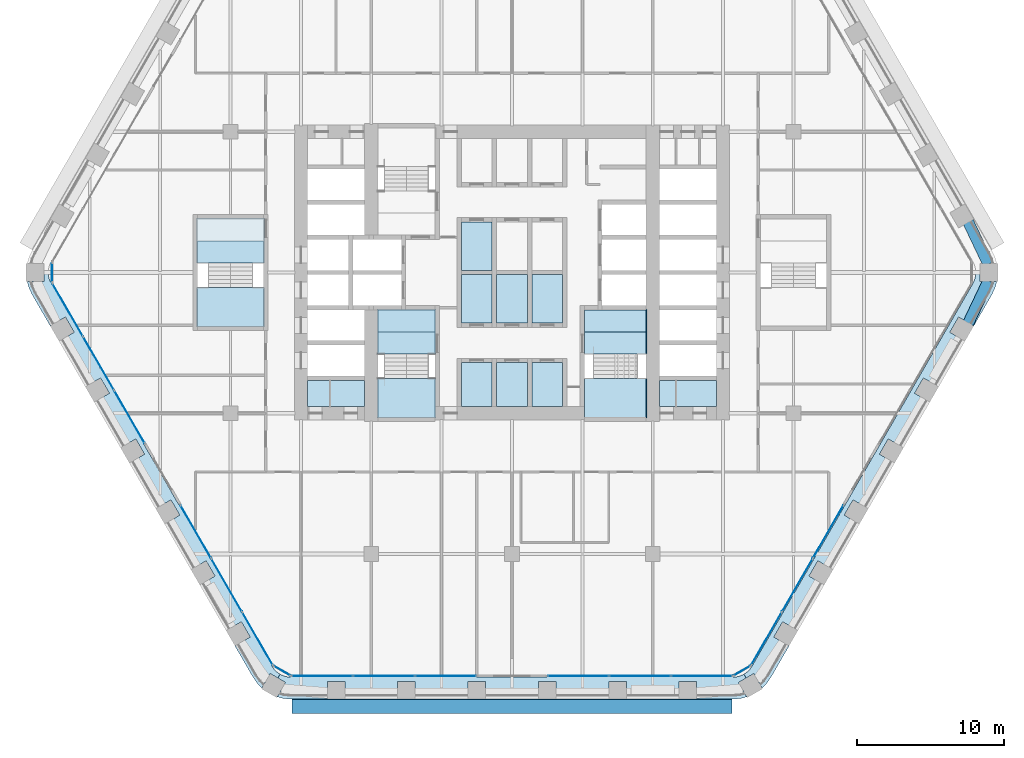
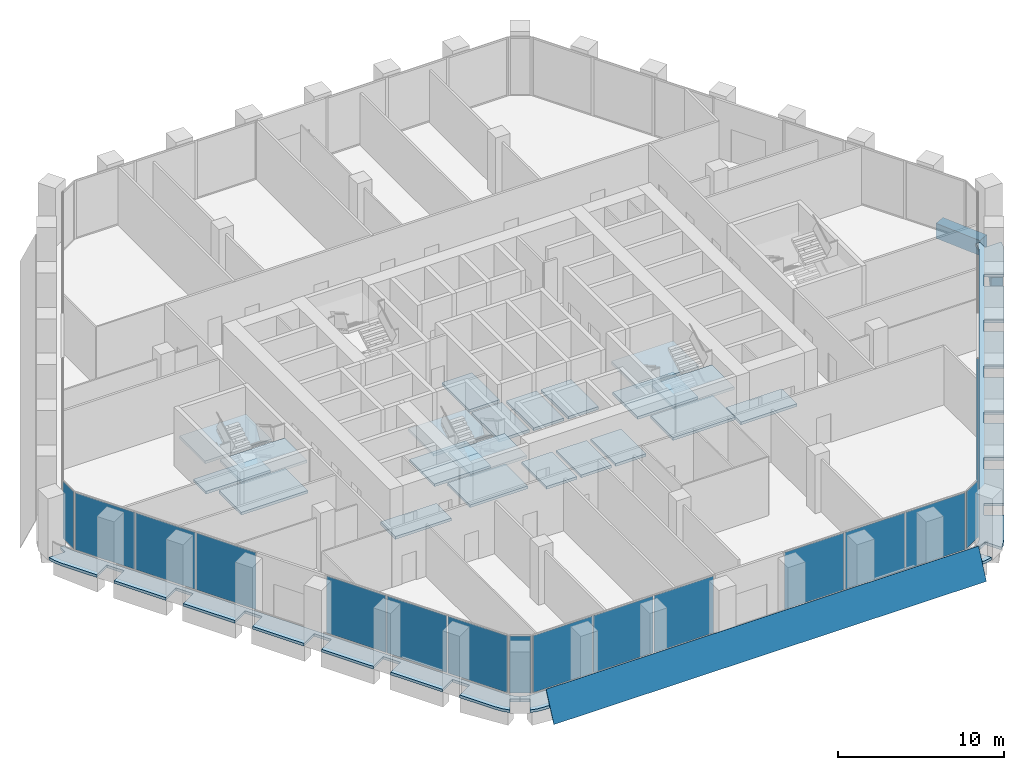
# One storey, part 10 of 23: 26 slabs, 19 plates, 2 beams, 11 elements without a shape of their own.
"""IFC4 building model written with IfcOpenShell, lengths in metres."""

from ifc_helpers import new_model, si_unit, direction, frame, origin, origin_2d, place, context, subcontext, project, spatial, polyline, rectangle, outline, extrude, material, layer, layer_set, material_profile, profile_set, type_object, element, aggregate, save


model = new_model("IFC4")

# Units and contexts
model_context = context("Model", 3, precision=1e-05, world=origin(), true_north=direction((0.0, 1.0)))
body_context = subcontext(model_context, "Body", "Model", "MODEL_VIEW")
ifc_project = project(units=[si_unit("LENGTHUNIT", "METRE"), si_unit("AREAUNIT", "SQUARE_METRE"), si_unit("VOLUMEUNIT", "CUBIC_METRE"), si_unit("PLANEANGLEUNIT", "RADIAN"), si_unit("MASSUNIT", "GRAM", prefix="KILO")], contexts=[model_context])

# Site, building, storey
site_placement = place(None, origin())
site = spatial("IfcSite", under=ifc_project, at=site_placement, CompositionType="ELEMENT")
building_placement = place(site_placement, origin())
building = spatial("IfcBuilding", under=site, at=building_placement, Name="Kolab Exchange Tower", CompositionType="ELEMENT")
storey_placement = place(building_placement, frame((0.0, 0.0, 100.39990234375)))
storey = spatial("IfcBuildingStorey", under=building, at=storey_placement, Name="L19", CompositionType="ELEMENT", Elevation=100.39990234375)

# Beams
ifc_material_1 = material(Name="Concrete C70/85", Category="concrete")
ifc_material_profile = material_profile(ifc_material_1, rectangle(XDim=0.75, YDim=1.10009765625, at=origin_2d()), Name="RC750X1100")
ifc_profile_set = profile_set([ifc_material_profile], Name="Concrete C70/85")
beam_type = type_object("IfcBeamType", Name="SPANDREL BEAM 750X1100 C70/85", PredefinedType="BEAM", material=ifc_profile_set)
for number, where, z_axis, x_axis, name in (
    (1, (31.116455078125, 3.4619140625, -0.75), (0.429041292193, -0.903284877319, 0.0), (0.903284877319, 0.429041292193, 0.0), "beam/L19/sp/F2-07"),
    (2, (32.492919921875, -0.56396484375, -0.75), (-0.429041292193, -0.903284877319, 0.0), (0.903284877319, -0.429041292193, 0.0), "beam/L19/sp/F3-01"),
):
    element("IfcBeam", number, at=place(storey_placement, frame(where, z_axis=z_axis, x_axis=x_axis)), inside=storey, type_object=beam_type, Name=name, PredefinedType="BEAM", context=body_context, shape_type="SweptSolid", body=[
        extrude(rectangle(XDim=0.75, YDim=1.10009765625, at=origin_2d()), origin(), (0.0, 0.0, 1.0), 3.208251953125),
    ])

# Slabs
ifc_material_2 = material(Name="Concrete C35/45", Category="concrete")
ifc_layer_1 = layer(ifc_material_2, 0.199951171875)
ifc_layer_set_1 = layer_set([ifc_layer_1], Name="Concrete C35/45")
slab_type_1 = type_object("IfcSlabType", Name="FLOOR SLAB 200", PredefinedType="FLOOR", material=ifc_layer_set_1)
slab_1_placement = place(storey_placement, frame((0.0, 0.0, -0.199951171875)))
element("IfcSlab", 3, at=slab_1_placement, inside=storey, type_object=slab_type_1, Name="slab/L19/floor/2", PredefinedType="FLOOR", context=body_context, shape_type="SweptSolid", body=[
    extrude(outline(polyline([(-10.050048828125, -9.14990234375), (-10.050048828125, -7.35009765625), (-13.949951171875, -7.35009765625), (-13.949951171875, -9.14990234375), (-10.050048828125, -9.14990234375)])), origin(), (0.0, 0.0, 1.0), 0.199951171875),
])
slab_2_placement = place(storey_placement, frame((0.0, 0.0, -0.199951171875)))
element("IfcSlab", 4, at=slab_2_placement, inside=storey, type_object=slab_type_1, Name="slab/L19/floor/4", PredefinedType="FLOOR", context=body_context, shape_type="SweptSolid", body=[
    extrude(outline(polyline([(10.050048828125, -9.14990234375), (13.949951171875, -9.14990234375), (13.949951171875, -7.35009765625), (10.050048828125, -7.35009765625), (10.050048828125, -9.14990234375)])), origin(), (0.0, 0.0, 1.0), 0.199951171875),
])
slab_3_placement = place(storey_placement, frame((0.0, 0.0, -0.199951171875)))
element("IfcSlab", 5, at=slab_3_placement, inside=storey, type_object=slab_type_1, Name="slab/L19/floor/6", PredefinedType="FLOOR", context=body_context, shape_type="SweptSolid", body=[
    extrude(outline(polyline([(-1.35009765625, -3.449951171875), (-1.35009765625, -0.14990234375), (-3.449951171875, -0.14990234375), (-3.449951171875, -3.449951171875), (-1.35009765625, -3.449951171875)])), origin(), (0.0, 0.0, 1.0), 0.199951171875),
])
slab_4_placement = place(storey_placement, frame((0.0, 0.0, -0.199951171875)))
element("IfcSlab", 6, at=slab_4_placement, inside=storey, type_object=slab_type_1, Name="slab/L19/floor/7", PredefinedType="FLOOR", context=body_context, shape_type="SweptSolid", body=[
    extrude(outline(polyline([(-1.35009765625, 0.14990234375), (-1.35009765625, 3.449951171875), (-3.449951171875, 3.449951171875), (-3.449951171875, 0.14990234375), (-1.35009765625, 0.14990234375)])), origin(), (0.0, 0.0, 1.0), 0.199951171875),
])
slab_5_placement = place(storey_placement, frame((0.0, 0.0, -0.199951171875)))
element("IfcSlab", 7, at=slab_5_placement, inside=storey, type_object=slab_type_1, Name="slab/L19/floor/8", PredefinedType="FLOOR", context=body_context, shape_type="SweptSolid", body=[
    extrude(outline(polyline([(-1.050048828125, -0.14990234375), (-1.050048828125, -3.449951171875), (1.050048828125, -3.449951171875), (1.050048828125, -0.14990234375), (-1.050048828125, -0.14990234375)])), origin(), (0.0, 0.0, 1.0), 0.199951171875),
])
slab_6_placement = place(storey_placement, frame((0.0, 0.0, -0.199951171875)))
element("IfcSlab", 8, at=slab_6_placement, inside=storey, type_object=slab_type_1, Name="slab/L19/floor/10", PredefinedType="FLOOR", context=body_context, shape_type="SweptSolid", body=[
    extrude(outline(polyline([(1.35009765625, -3.449951171875), (3.449951171875, -3.449951171875), (3.449951171875, -0.14990234375), (1.35009765625, -0.14990234375), (1.35009765625, -3.449951171875)])), origin(), (0.0, 0.0, 1.0), 0.199951171875),
])
slab_7_placement = place(storey_placement, frame((0.0, 0.0, -0.199951171875)))
element("IfcSlab", 9, at=slab_7_placement, inside=storey, type_object=slab_type_1, Name="slab/L19/floor/14", PredefinedType="FLOOR", context=body_context, shape_type="SweptSolid", body=[
    extrude(outline(polyline([(-1.35009765625, -6.14990234375), (-3.449951171875, -6.14990234375), (-3.449951171875, -9.14990234375), (-1.35009765625, -9.14990234375), (-1.35009765625, -6.14990234375)])), origin(), (0.0, 0.0, 1.0), 0.199951171875),
])
slab_8_placement = place(storey_placement, frame((0.0, 0.0, -0.199951171875)))
element("IfcSlab", 10, at=slab_8_placement, inside=storey, type_object=slab_type_1, Name="slab/L19/floor/16", PredefinedType="FLOOR", context=body_context, shape_type="SweptSolid", body=[
    extrude(outline(polyline([(1.050048828125, -6.14990234375), (-1.050048828125, -6.14990234375), (-1.050048828125, -9.14990234375), (1.050048828125, -9.14990234375), (1.050048828125, -6.14990234375)])), origin(), (0.0, 0.0, 1.0), 0.199951171875),
])
slab_9_placement = place(storey_placement, frame((0.0, 0.0, -0.199951171875)))
element("IfcSlab", 11, at=slab_9_placement, inside=storey, type_object=slab_type_1, Name="slab/L19/floor/18", PredefinedType="FLOOR", context=body_context, shape_type="SweptSolid", body=[
    extrude(outline(polyline([(1.35009765625, -6.14990234375), (1.35009765625, -9.14990234375), (3.449951171875, -9.14990234375), (3.449951171875, -6.14990234375), (1.35009765625, -6.14990234375)])), origin(), (0.0, 0.0, 1.0), 0.199951171875),
])
slab_10_placement = place(storey_placement, frame((0.0, 0.0, -0.199951171875)))
element("IfcSlab", 12, at=slab_10_placement, inside=storey, type_object=slab_type_1, Name="slab/L19/floor/20", PredefinedType="FLOOR", context=body_context, shape_type="SweptSolid", body=[
    extrude(outline(polyline([(4.949951171875, -4.050048828125), (9.14990234375, -4.050048828125), (9.14990234375, -2.550048828125), (6.14990234375, -2.550048828125), (5.85009765625, -2.550048828125), (4.949951171875, -2.550048828125), (4.949951171875, -4.050048828125)])), origin(), (0.0, 0.0, 1.0), 0.199951171875),
])
slab_11_placement = place(storey_placement, frame((0.0, 0.0, -0.199951171875)))
element("IfcSlab", 13, at=slab_11_placement, inside=storey, type_object=slab_type_1, Name="slab/L19/floor/21", PredefinedType="FLOOR", context=body_context, shape_type="SweptSolid", body=[
    extrude(outline(polyline([(-9.14990234375, -2.550048828125), (-9.14990234375, -4.050048828125), (-5.25, -4.050048828125), (-5.25, -2.550048828125), (-7.25, -2.550048828125), (-7.550048828125, -2.550048828125), (-9.14990234375, -2.550048828125)])), origin(), (0.0, 0.0, 1.0), 0.199951171875),
])
ifc_layer_2 = layer(ifc_material_2, 0.199951171875)
ifc_layer_set_2 = layer_set([ifc_layer_2], Name="Concrete C35/45")
slab_type_2 = type_object("IfcSlabType", Name="LOGGIA SLAB 200", PredefinedType="FLOOR", material=ifc_layer_set_2)
slab_12_placement = place(storey_placement, frame((0.0, 0.0, -0.199951171875)))
element("IfcSlab", 14, at=slab_12_placement, inside=storey, type_object=slab_type_2, Name="slab/L19/loggia/2-0", PredefinedType="FLOOR", context=body_context, shape_type="SweptSolid", body=[
    extrude(outline(polyline([(17.666015625, -27.598388671875), (18.89990234375, -25.461181640625), (17.86083984375, -24.861083984375), (18.460693359375, -23.822021484375), (19.5, -24.421875), (21.300048828125, -21.30419921875), (20.2607421875, -20.704345703125), (20.86083984375, -19.6650390625), (21.89990234375, -20.264892578125), (23.699951171875, -17.147216796875), (22.660888671875, -16.54736328125), (23.2607421875, -15.508056640625), (24.300048828125, -16.108154296875), (26.10009765625, -12.990478515625), (25.060791015625, -12.390380859375), (25.660888671875, -11.35107421875), (26.699951171875, -11.951171875), (28.5, -8.83349609375), (27.460693359375, -8.2333984375), (28.060791015625, -7.1943359375), (29.10009765625, -7.794189453125), (30.89990234375, -4.676513671875), (29.86083984375, -4.076416015625), (30.460693359375, -3.037353515625), (31.5, -3.63720703125), (32.73388671875, -1.5), (32.955078125, -1.026123046875), (33.069091796875, -0.60009765625), (31.935791015625, -0.60009765625), (31.935791015625, 0.0), (31.635986328125, 0.0), (31.613037109375, -0.260498046875), (31.54541015625, -0.512939453125), (31.434814453125, -0.75), (16.366943359375, -26.848388671875), (16.217041015625, -27.062744140625), (16.0322265625, -27.24755859375), (15.81787109375, -27.3974609375), (15.968017578125, -27.6572265625), (16.487548828125, -27.357177734375), (17.05419921875, -28.338623046875), (17.365966796875, -28.02685546875), (17.666015625, -27.598388671875)])), origin(), (0.0, 0.0, 1.0), 0.199951171875),
])
slab_13_placement = place(storey_placement, frame((0.0, 0.0, -0.199951171875)))
element("IfcSlab", 15, at=slab_13_placement, inside=storey, type_object=slab_type_2, Name="slab/L19/loggia/3-0", PredefinedType="FLOOR", context=body_context, shape_type="SweptSolid", body=[
    extrude(outline(polyline([(-15.81787109375, -27.3974609375), (-15.968017578125, -27.6572265625), (-15.4482421875, -27.957275390625), (-16.014892578125, -28.938720703125), (-15.5888671875, -29.052978515625), (-15.06787109375, -29.098388671875), (-12.60009765625, -29.098388671875), (-12.60009765625, -27.8984375), (-11.39990234375, -27.8984375), (-11.39990234375, -29.098388671875), (-7.800048828125, -29.098388671875), (-7.800048828125, -27.8984375), (-6.60009765625, -27.8984375), (-6.60009765625, -29.098388671875), (-3.0, -29.098388671875), (-3.0, -27.8984375), (-1.800048828125, -27.8984375), (-1.800048828125, -29.098388671875), (1.800048828125, -29.098388671875), (1.800048828125, -27.8984375), (3.0, -27.8984375), (3.0, -29.098388671875), (6.60009765625, -29.098388671875), (6.60009765625, -27.8984375), (7.800048828125, -27.8984375), (7.800048828125, -29.098388671875), (11.39990234375, -29.098388671875), (11.39990234375, -27.8984375), (12.60009765625, -27.8984375), (12.60009765625, -29.098388671875), (15.06787109375, -29.098388671875), (15.5888671875, -29.052978515625), (16.014892578125, -28.938720703125), (15.4482421875, -27.957275390625), (15.968017578125, -27.6572265625), (15.81787109375, -27.3974609375), (15.5810546875, -27.508056640625), (15.328369140625, -27.57568359375), (15.06787109375, -27.598388671875), (-15.06787109375, -27.598388671875), (-15.328369140625, -27.57568359375), (-15.5810546875, -27.508056640625), (-15.81787109375, -27.3974609375)])), origin(), (0.0, 0.0, 1.0), 0.199951171875),
])
slab_14_placement = place(storey_placement, frame((0.0, 0.0, -0.199951171875)))
element("IfcSlab", 16, at=slab_14_placement, inside=storey, type_object=slab_type_2, Name="slab/L19/loggia/4-0", PredefinedType="FLOOR", context=body_context, shape_type="SweptSolid", body=[
    extrude(outline(polyline([(-31.635986328125, 0.0), (-31.935791015625, 0.0), (-31.935791015625, -0.60009765625), (-33.069091796875, -0.60009765625), (-32.955078125, -1.026123046875), (-32.73388671875, -1.5), (-31.5, -3.63720703125), (-30.460693359375, -3.037353515625), (-29.86083984375, -4.076416015625), (-30.89990234375, -4.676513671875), (-29.10009765625, -7.794189453125), (-28.060791015625, -7.1943359375), (-27.460693359375, -8.2333984375), (-28.5, -8.83349609375), (-26.699951171875, -11.951171875), (-25.660888671875, -11.35107421875), (-25.060791015625, -12.390380859375), (-26.10009765625, -12.990478515625), (-24.300048828125, -16.108154296875), (-23.2607421875, -15.508056640625), (-22.660888671875, -16.54736328125), (-23.699951171875, -17.147216796875), (-21.89990234375, -20.264892578125), (-20.86083984375, -19.6650390625), (-20.2607421875, -20.704345703125), (-21.300048828125, -21.30419921875), (-19.5, -24.421875), (-18.460693359375, -23.822021484375), (-17.86083984375, -24.861083984375), (-18.89990234375, -25.461181640625), (-17.666015625, -27.598388671875), (-17.365966796875, -28.02685546875), (-17.05419921875, -28.338623046875), (-16.487548828125, -27.357177734375), (-15.968017578125, -27.6572265625), (-15.81787109375, -27.3974609375), (-16.0322265625, -27.24755859375), (-16.217041015625, -27.062744140625), (-16.366943359375, -26.848388671875), (-31.434814453125, -0.75), (-31.54541015625, -0.512939453125), (-31.613037109375, -0.260498046875), (-31.635986328125, 0.0)])), origin(), (0.0, 0.0, 1.0), 0.199951171875),
])

# Plate
ifc_material_3 = material(Name="Laminated glass, clear", Category="glass")
ifc_layer_3 = layer(ifc_material_3, 0.0400390625)
ifc_layer_set_3 = layer_set([ifc_layer_3], Name="Laminated glass, clear")
plate_type_1 = type_object("IfcPlateType", Name="OUTER SKIN LAMINATED GLASS SHEET 40", PredefinedType="SHEET", material=ifc_layer_set_3)
plate_1_placement = place(storey_placement, frame((15.01806640625, -30.078857421875, -0.73291015625), z_axis=(0.0, -0.906331045159, 0.422568380954), x_axis=(-1.0, 0.0, 0.0)))
element("IfcPlate", 17, at=plate_1_placement, inside=storey, type_object=plate_type_1, Name="Outer skin", PredefinedType="SHEET", context=body_context, shape_type="SweptSolid", body=[
    extrude(outline(polyline([(0.0, 0.0), (30.0361328125, 0.0), (30.0361328125, -2.2341751996320496), (0.0, -2.2341751996320496), (0.0, 0.0)])), origin(), (0.0, 0.0, -1.0), 0.0400390625),
])

# Stair, slabs
ifc_material_4 = material(Name="Concrete C50/60", Category="concrete")
stair_type_1 = type_object("IfcStairType", Name="STAIR ST3 RISER 160.7", PredefinedType="DOUBLE_RETURN_STAIR", material=ifc_material_4)
stair_1_placement = place(storey_placement, origin())
stair_1 = element("IfcStair", 18, at=stair_1_placement, inside=storey, type_object=stair_type_1, Name="Stair 3", PredefinedType="DOUBLE_RETURN_STAIR")
ifc_layer_4 = layer(ifc_material_4, 0.199951171875)
ifc_layer_set_4 = layer_set([ifc_layer_4], Name="Concrete C50/60")
slab_type_3 = type_object("IfcSlabType", Name="STAIR LANDING 200", PredefinedType="LANDING", material=ifc_layer_set_4)
slab_15_placement = place(storey_placement, frame((0.0, 0.0, -0.199951171875)))
slab_15 = element("IfcSlab", 19, at=slab_15_placement, type_object=slab_type_3, Name="ST3 landing 1", PredefinedType="LANDING", context=body_context, shape_type="SweptSolid", body=[
    extrude(outline(polyline([(-9.14990234375, -5.550048828125), (-5.25, -5.550048828125), (-5.25, -4.050048828125), (-9.14990234375, -4.050048828125), (-9.14990234375, -5.550048828125)])), origin(), (0.0, 0.0, 1.0), 0.199951171875),
])
slab_16_placement = place(storey_placement, frame((0.0, 0.0, 0.925048828125)))
slab_16 = element("IfcSlab", 20, at=slab_16_placement, type_object=slab_type_3, Name="ST3 landing 2", PredefinedType="LANDING", context=body_context, shape_type="SweptSolid", body=[
    extrude(outline(polyline([(-9.2099609375, -9.909912109375), (-5.18994140625, -9.909912109375), (-5.18994140625, -7.22998046875), (-9.2099609375, -7.22998046875), (-9.2099609375, -9.909912109375)])), origin(), (0.0, 0.0, 1.0), 0.199951171875),
])
slab_17_placement = place(storey_placement, frame((0.0, 0.0, 2.050048828125)))
slab_17 = element("IfcSlab", 21, at=slab_17_placement, type_object=slab_type_3, Name="ST3 landing 3", PredefinedType="LANDING", context=body_context, shape_type="SweptSolid", body=[
    extrude(outline(polyline([(-9.2099609375, -5.550048828125), (-5.18994140625, -5.550048828125), (-5.18994140625, -2.489990234375), (-9.2099609375, -2.489990234375), (-9.2099609375, -5.550048828125)])), origin(), (0.0, 0.0, 1.0), 0.199951171875),
])
slab_18_placement = place(storey_placement, frame((0.0, 0.0, 3.175048828125)))
slab_18 = element("IfcSlab", 22, at=slab_18_placement, type_object=slab_type_3, Name="ST3 landing 4", PredefinedType="LANDING", context=body_context, shape_type="SweptSolid", body=[
    extrude(outline(polyline([(-9.14990234375, -9.909912109375), (-5.25, -9.909912109375), (-5.25, -7.22998046875), (-9.14990234375, -7.22998046875), (-9.14990234375, -9.909912109375)])), origin(), (0.0, 0.0, 1.0), 0.199951171875),
])
aggregate(stair_1, [slab_15, slab_16, slab_17, slab_18])

stair_type_2 = type_object("IfcStairType", Name="STAIR ST2 RISER 160.7", PredefinedType="DOUBLE_RETURN_STAIR", material=ifc_material_4)
stair_2_placement = place(storey_placement, origin())
stair_2 = element("IfcStair", 23, at=stair_2_placement, inside=storey, type_object=stair_type_2, Name="Stair 2", PredefinedType="DOUBLE_RETURN_STAIR")
slab_19_placement = place(storey_placement, frame((0.0, 0.0, -0.199951171875)))
slab_19 = element("IfcSlab", 24, at=slab_19_placement, type_object=slab_type_3, Name="ST2 landing 1", PredefinedType="LANDING", context=body_context, shape_type="SweptSolid", body=[
    extrude(outline(polyline([(4.949951171875, -5.550048828125), (9.14990234375, -5.550048828125), (9.14990234375, -4.050048828125), (4.949951171875, -4.050048828125), (4.949951171875, -5.550048828125)])), origin(), (0.0, 0.0, 1.0), 0.199951171875),
])
slab_20_placement = place(storey_placement, frame((0.0, 0.0, 0.925048828125)))
slab_20 = element("IfcSlab", 25, at=slab_20_placement, type_object=slab_type_3, Name="ST2 landing 2", PredefinedType="LANDING", context=body_context, shape_type="SweptSolid", body=[
    extrude(outline(polyline([(4.889892578125, -9.909912109375), (9.2099609375, -9.909912109375), (9.2099609375, -7.22998046875), (4.889892578125, -7.22998046875), (4.889892578125, -9.909912109375)])), origin(), (0.0, 0.0, 1.0), 0.199951171875),
])
slab_21_placement = place(storey_placement, frame((0.0, 0.0, 2.050048828125)))
slab_21 = element("IfcSlab", 26, at=slab_21_placement, type_object=slab_type_3, Name="ST2 landing 3", PredefinedType="LANDING", context=body_context, shape_type="SweptSolid", body=[
    extrude(outline(polyline([(4.889892578125, -5.550048828125), (9.2099609375, -5.550048828125), (9.2099609375, -2.489990234375), (4.889892578125, -2.489990234375), (4.889892578125, -5.550048828125)])), origin(), (0.0, 0.0, 1.0), 0.199951171875),
])
slab_22_placement = place(storey_placement, frame((0.0, 0.0, 3.175048828125)))
slab_22 = element("IfcSlab", 27, at=slab_22_placement, type_object=slab_type_3, Name="ST2 landing 4", PredefinedType="LANDING", context=body_context, shape_type="SweptSolid", body=[
    extrude(outline(polyline([(4.949951171875, -9.909912109375), (9.14990234375, -9.909912109375), (9.14990234375, -7.22998046875), (4.949951171875, -7.22998046875), (4.949951171875, -9.909912109375)])), origin(), (0.0, 0.0, 1.0), 0.199951171875),
])
aggregate(stair_2, [slab_19, slab_20, slab_21, slab_22])

stair_type_3 = type_object("IfcStairType", Name="STAIR ST5 RISER 160.7", PredefinedType="DOUBLE_RETURN_STAIR", material=ifc_material_4)
stair_3_placement = place(storey_placement, origin())
stair_3 = element("IfcStair", 28, at=stair_3_placement, inside=storey, type_object=stair_type_3, Name="Stair 5", PredefinedType="DOUBLE_RETURN_STAIR")
slab_23_placement = place(storey_placement, frame((0.0, 0.0, -0.199951171875)))
slab_23 = element("IfcSlab", 29, at=slab_23_placement, type_object=slab_type_3, Name="ST5 landing 1", PredefinedType="LANDING", context=body_context, shape_type="SweptSolid", body=[
    extrude(outline(polyline([(-21.449951171875, 0.64990234375), (-16.949951171875, 0.64990234375), (-16.949951171875, 2.14990234375), (-21.449951171875, 2.14990234375), (-21.449951171875, 0.64990234375)])), origin(), (0.0, 0.0, 1.0), 0.199951171875),
])
slab_24_placement = place(storey_placement, frame((0.0, 0.0, 0.925048828125)))
slab_24 = element("IfcSlab", 30, at=slab_24_placement, type_object=slab_type_3, Name="ST5 landing 2", PredefinedType="LANDING", context=body_context, shape_type="SweptSolid", body=[
    extrude(outline(polyline([(-21.510009765625, -3.7099609375), (-16.889892578125, -3.7099609375), (-16.889892578125, -1.030029296875), (-21.510009765625, -1.030029296875), (-21.510009765625, -3.7099609375)])), origin(), (0.0, 0.0, 1.0), 0.199951171875),
])
slab_25_placement = place(storey_placement, frame((0.0, 0.0, 2.050048828125)))
slab_25 = element("IfcSlab", 31, at=slab_25_placement, type_object=slab_type_3, Name="ST5 landing 3", PredefinedType="LANDING", context=body_context, shape_type="SweptSolid", body=[
    extrude(outline(polyline([(-21.510009765625, 0.64990234375), (-16.889892578125, 0.64990234375), (-16.889892578125, 3.7099609375), (-21.510009765625, 3.7099609375), (-21.510009765625, 0.64990234375)])), origin(), (0.0, 0.0, 1.0), 0.199951171875),
])
slab_26_placement = place(storey_placement, frame((0.0, 0.0, 3.175048828125)))
slab_26 = element("IfcSlab", 32, at=slab_26_placement, type_object=slab_type_3, Name="ST5 landing 4", PredefinedType="LANDING", context=body_context, shape_type="SweptSolid", body=[
    extrude(outline(polyline([(-21.449951171875, -3.7099609375), (-16.949951171875, -3.7099609375), (-16.949951171875, -1.030029296875), (-21.449951171875, -1.030029296875), (-21.449951171875, -3.7099609375)])), origin(), (0.0, 0.0, 1.0), 0.199951171875),
])
aggregate(stair_3, [slab_23, slab_24, slab_25, slab_26])

# Curtain wall, plates
ifc_material_5 = material(Name="Aluminium EN AW-6063 T6", Category="aluminium")
curtain_wall_type = type_object("IfcCurtainWallType", Name="UNITISED LOWER MID ZONE CURTAIN WALL", PredefinedType="NOTDEFINED", material=ifc_material_5)
curtain_wall_1_placement = place(storey_placement, origin())
curtain_wall_1 = element("IfcCurtainWall", 33, at=curtain_wall_1_placement, inside=storey, type_object=curtain_wall_type, Name="cw/L19/F3-2", PredefinedType="NOTDEFINED")
ifc_material_6 = material(Name="Clear insulated glazing unit", Category="glass")
ifc_layer_5 = layer(ifc_material_6, 0.02587890625)
ifc_layer_set_5 = layer_set([ifc_layer_5], Name="Clear insulated glazing unit")
plate_type_2 = type_object("IfcPlateType", Name="UNITISED LOWER MID ZONE GLASS PANEL 26", PredefinedType="CURTAIN_PANEL", material=ifc_layer_set_5)
plate_2_placement = place(storey_placement, frame((21.568603515625, -17.67919921875, 0.06005859375), z_axis=(0.0, 0.0, 1.0), x_axis=(-0.500000017564, -0.866025393644, 0.0)))
plate_2 = element("IfcPlate", 34, at=plate_2_placement, type_object=plate_type_2, Name="CW2 panel 1.1", PredefinedType="CURTAIN_PANEL", context=body_context, shape_type="SweptSolid", body=[
    extrude(rectangle(XDim=4.132568359375, YDim=0.02587890625, at=origin_2d()), origin(), (0.0, 0.0, 1.0), 4.179931640625),
])
plate_3_placement = place(storey_placement, frame((19.464599609375, -21.322998046875, 0.06005859375), z_axis=(0.0, 0.0, 1.0), x_axis=(-0.500000017564, -0.866025393644, 0.0)))
plate_3 = element("IfcPlate", 35, at=plate_3_placement, type_object=plate_type_2, Name="CW2 panel 2.1", PredefinedType="CURTAIN_PANEL", context=body_context, shape_type="SweptSolid", body=[
    extrude(rectangle(XDim=4.16259765625, YDim=0.02587890625, at=origin_2d()), origin(), (0.0, 0.0, 1.0), 4.179931640625),
])
plate_4_placement = place(storey_placement, frame((17.36083984375, -24.967041015625, 0.06005859375), z_axis=(0.0, 0.0, 1.0), x_axis=(-0.500000017564, -0.866025393644, 0.0)))
plate_4 = element("IfcPlate", 36, at=plate_4_placement, type_object=plate_type_2, Name="CW2 panel 3.1", PredefinedType="CURTAIN_PANEL", context=body_context, shape_type="SweptSolid", body=[
    extrude(rectangle(XDim=4.132568359375, YDim=0.02587890625, at=origin_2d()), origin(), (0.0, 0.0, 1.0), 4.179931640625),
])
aggregate(curtain_wall_1, [plate_2, plate_3, plate_4])

curtain_wall_2_placement = place(storey_placement, origin())
curtain_wall_2 = element("IfcCurtainWall", 37, at=curtain_wall_2_placement, inside=storey, type_object=curtain_wall_type, Name="cw/L19/F4-1", PredefinedType="NOTDEFINED")
plate_5_placement = place(storey_placement, frame((12.941650390625, -27.5185546875, 0.06005859375), z_axis=(0.0, 0.0, 1.0), x_axis=(-1.0, 0.0, 0.0)))
plate_5 = element("IfcPlate", 38, at=plate_5_placement, type_object=plate_type_2, Name="CW2 panel 1.1", PredefinedType="CURTAIN_PANEL", context=body_context, shape_type="SweptSolid", body=[
    extrude(rectangle(XDim=4.132568359375, YDim=0.02587890625, at=origin_2d()), origin(), (0.0, 0.0, 1.0), 4.179931640625),
])
plate_6_placement = place(storey_placement, frame((8.73388671875, -27.5185546875, 0.06005859375), z_axis=(0.0, 0.0, 1.0), x_axis=(-1.0, 0.0, 0.0)))
plate_6 = element("IfcPlate", 39, at=plate_6_placement, type_object=plate_type_2, Name="CW2 panel 2.1", PredefinedType="CURTAIN_PANEL", context=body_context, shape_type="SweptSolid", body=[
    extrude(rectangle(XDim=4.16259765625, YDim=0.02587890625, at=origin_2d()), origin(), (0.0, 0.0, 1.0), 4.179931640625),
])
plate_7_placement = place(storey_placement, frame((4.5263671875, -27.5185546875, 0.06005859375), z_axis=(0.0, 0.0, 1.0), x_axis=(-1.0, 0.0, 0.0)))
plate_7 = element("IfcPlate", 40, at=plate_7_placement, type_object=plate_type_2, Name="CW2 panel 3.1", PredefinedType="CURTAIN_PANEL", context=body_context, shape_type="SweptSolid", body=[
    extrude(rectangle(XDim=4.132568359375, YDim=0.02587890625, at=origin_2d()), origin(), (0.0, 0.0, 1.0), 4.179931640625),
])
aggregate(curtain_wall_2, [plate_5, plate_6, plate_7])

curtain_wall_3_placement = place(storey_placement, origin())
curtain_wall_3 = element("IfcCurtainWall", 41, at=curtain_wall_3_placement, inside=storey, type_object=curtain_wall_type, Name="cw/L19/F4-2", PredefinedType="NOTDEFINED")
plate_8_placement = place(storey_placement, frame((-4.5263671875, -27.5185546875, 0.06005859375), z_axis=(0.0, 0.0, 1.0), x_axis=(-1.0, 0.0, 0.0)))
plate_8 = element("IfcPlate", 42, at=plate_8_placement, type_object=plate_type_2, Name="CW2 panel 1.1", PredefinedType="CURTAIN_PANEL", context=body_context, shape_type="SweptSolid", body=[
    extrude(rectangle(XDim=4.132568359375, YDim=0.02587890625, at=origin_2d()), origin(), (0.0, 0.0, 1.0), 4.179931640625),
])
plate_9_placement = place(storey_placement, frame((-8.73388671875, -27.5185546875, 0.06005859375), z_axis=(0.0, 0.0, 1.0), x_axis=(-1.0, 0.0, 0.0)))
plate_9 = element("IfcPlate", 43, at=plate_9_placement, type_object=plate_type_2, Name="CW2 panel 2.1", PredefinedType="CURTAIN_PANEL", context=body_context, shape_type="SweptSolid", body=[
    extrude(rectangle(XDim=4.16259765625, YDim=0.02587890625, at=origin_2d()), origin(), (0.0, 0.0, 1.0), 4.179931640625),
])
plate_10_placement = place(storey_placement, frame((-12.941650390625, -27.5185546875, 0.06005859375), z_axis=(0.0, 0.0, 1.0), x_axis=(-1.0, 0.0, 0.0)))
plate_10 = element("IfcPlate", 44, at=plate_10_placement, type_object=plate_type_2, Name="CW2 panel 3.1", PredefinedType="CURTAIN_PANEL", context=body_context, shape_type="SweptSolid", body=[
    extrude(rectangle(XDim=4.132568359375, YDim=0.02587890625, at=origin_2d()), origin(), (0.0, 0.0, 1.0), 4.179931640625),
])
aggregate(curtain_wall_3, [plate_8, plate_9, plate_10])

curtain_wall_4_placement = place(storey_placement, origin())
curtain_wall_4 = element("IfcCurtainWall", 45, at=curtain_wall_4_placement, inside=storey, type_object=curtain_wall_type, Name="cw/L19/F5-1", PredefinedType="NOTDEFINED")
plate_11_placement = place(storey_placement, frame((-17.36083984375, -24.967041015625, 0.06005859375), z_axis=(0.0, 0.0, 1.0), x_axis=(-0.500000017564, 0.866025393644, 0.0)))
plate_11 = element("IfcPlate", 46, at=plate_11_placement, type_object=plate_type_2, Name="CW2 panel 1.1", PredefinedType="CURTAIN_PANEL", context=body_context, shape_type="SweptSolid", body=[
    extrude(rectangle(XDim=4.132568359375, YDim=0.02587890625, at=origin_2d()), origin(), (0.0, 0.0, 1.0), 4.179931640625),
])
plate_12_placement = place(storey_placement, frame((-19.464599609375, -21.322998046875, 0.06005859375), z_axis=(0.0, 0.0, 1.0), x_axis=(-0.500000017564, 0.866025393644, 0.0)))
plate_12 = element("IfcPlate", 47, at=plate_12_placement, type_object=plate_type_2, Name="CW2 panel 2.1", PredefinedType="CURTAIN_PANEL", context=body_context, shape_type="SweptSolid", body=[
    extrude(rectangle(XDim=4.16259765625, YDim=0.02587890625, at=origin_2d()), origin(), (0.0, 0.0, 1.0), 4.179931640625),
])
plate_13_placement = place(storey_placement, frame((-21.568603515625, -17.67919921875, 0.06005859375), z_axis=(0.0, 0.0, 1.0), x_axis=(-0.500000017564, 0.866025393644, 0.0)))
plate_13 = element("IfcPlate", 48, at=plate_13_placement, type_object=plate_type_2, Name="CW2 panel 3.1", PredefinedType="CURTAIN_PANEL", context=body_context, shape_type="SweptSolid", body=[
    extrude(rectangle(XDim=4.132568359375, YDim=0.02587890625, at=origin_2d()), origin(), (0.0, 0.0, 1.0), 4.179931640625),
])
aggregate(curtain_wall_4, [plate_11, plate_12, plate_13])

curtain_wall_5_placement = place(storey_placement, origin())
curtain_wall_5 = element("IfcCurtainWall", 49, at=curtain_wall_5_placement, inside=storey, type_object=curtain_wall_type, Name="cw/L19/F5-2", PredefinedType="NOTDEFINED")
plate_14_placement = place(storey_placement, frame((-26.0947265625, -9.83935546875, 0.06005859375), z_axis=(0.0, 0.0, 1.0), x_axis=(-0.499999958358, 0.866025427826, 0.0)))
plate_14 = element("IfcPlate", 50, at=plate_14_placement, type_object=plate_type_2, Name="CW2 panel 1.1", PredefinedType="CURTAIN_PANEL", context=body_context, shape_type="SweptSolid", body=[
    extrude(rectangle(XDim=4.132568359375, YDim=0.02587890625, at=origin_2d()), origin(), (0.0, 0.0, 1.0), 4.179931640625),
])
plate_15_placement = place(storey_placement, frame((-28.19873046875, -6.1953125, 0.06005859375), z_axis=(0.0, 0.0, 1.0), x_axis=(-0.499999958358, 0.866025427826, 0.0)))
plate_15 = element("IfcPlate", 51, at=plate_15_placement, type_object=plate_type_2, Name="CW2 panel 2.1", PredefinedType="CURTAIN_PANEL", context=body_context, shape_type="SweptSolid", body=[
    extrude(rectangle(XDim=4.16259765625, YDim=0.02587890625, at=origin_2d()), origin(), (0.0, 0.0, 1.0), 4.179931640625),
])
plate_16_placement = place(storey_placement, frame((-30.302490234375, -2.551513671875, 0.06005859375), z_axis=(0.0, 0.0, 1.0), x_axis=(-0.499999958358, 0.866025427826, 0.0)))
plate_16 = element("IfcPlate", 52, at=plate_16_placement, type_object=plate_type_2, Name="CW2 panel 3.1", PredefinedType="CURTAIN_PANEL", context=body_context, shape_type="SweptSolid", body=[
    extrude(rectangle(XDim=4.132568359375, YDim=0.02587890625, at=origin_2d()), origin(), (0.0, 0.0, 1.0), 4.179931640625),
])
aggregate(curtain_wall_5, [plate_14, plate_15, plate_16])

# Curtain wall, plate
curtain_wall_6_placement = place(storey_placement, origin())
curtain_wall_6 = element("IfcCurtainWall", 53, at=curtain_wall_6_placement, inside=storey, type_object=curtain_wall_type, Name="cw/L19/F3F4-corner", PredefinedType="NOTDEFINED")
plate_17_placement = place(storey_placement, frame((15.682861328125, -27.16357421875, 0.06005859375), z_axis=(0.0, 0.0, 1.0), x_axis=(-0.866025390869, -0.50000002237, 0.0)))
plate_17 = element("IfcPlate", 54, at=plate_17_placement, type_object=plate_type_2, Name="CW2 panel 1.1", PredefinedType="CURTAIN_PANEL", context=body_context, shape_type="SweptSolid", body=[
    extrude(rectangle(XDim=1.300048828125, YDim=0.02587890625, at=origin_2d()), origin(), (0.0, 0.0, 1.0), 4.179931640625),
])
aggregate(curtain_wall_6, [plate_17])

curtain_wall_7_placement = place(storey_placement, origin())
curtain_wall_7 = element("IfcCurtainWall", 55, at=curtain_wall_7_placement, inside=storey, type_object=curtain_wall_type, Name="cw/L19/F4F5-corner", PredefinedType="NOTDEFINED")
plate_18_placement = place(storey_placement, frame((-15.682861328125, -27.16357421875, 0.06005859375), z_axis=(0.0, 0.0, 1.0), x_axis=(-0.866025390869, 0.50000002237, 0.0)))
plate_18 = element("IfcPlate", 56, at=plate_18_placement, type_object=plate_type_2, Name="CW2 panel 1.1", PredefinedType="CURTAIN_PANEL", context=body_context, shape_type="SweptSolid", body=[
    extrude(rectangle(XDim=1.300048828125, YDim=0.02587890625, at=origin_2d()), origin(), (0.0, 0.0, 1.0), 4.179931640625),
])
aggregate(curtain_wall_7, [plate_18])

curtain_wall_8_placement = place(storey_placement, origin())
curtain_wall_8 = element("IfcCurtainWall", 57, at=curtain_wall_8_placement, inside=storey, type_object=curtain_wall_type, Name="cw/L19/F5F6-corner", PredefinedType="NOTDEFINED")
plate_19_placement = place(storey_placement, frame((-31.36572265625, 0.0, 0.06005859375), z_axis=(0.0, 0.0, 1.0), x_axis=(0.0, 1.0, 0.0)))
plate_19 = element("IfcPlate", 58, at=plate_19_placement, type_object=plate_type_2, Name="CW2 panel 1.1", PredefinedType="CURTAIN_PANEL", context=body_context, shape_type="SweptSolid", body=[
    extrude(rectangle(XDim=1.300048828125, YDim=0.02587890625, at=origin_2d()), origin(), (0.0, 0.0, 1.0), 4.179931640625),
])
aggregate(curtain_wall_8, [plate_19])

save(model, "model.ifc")
